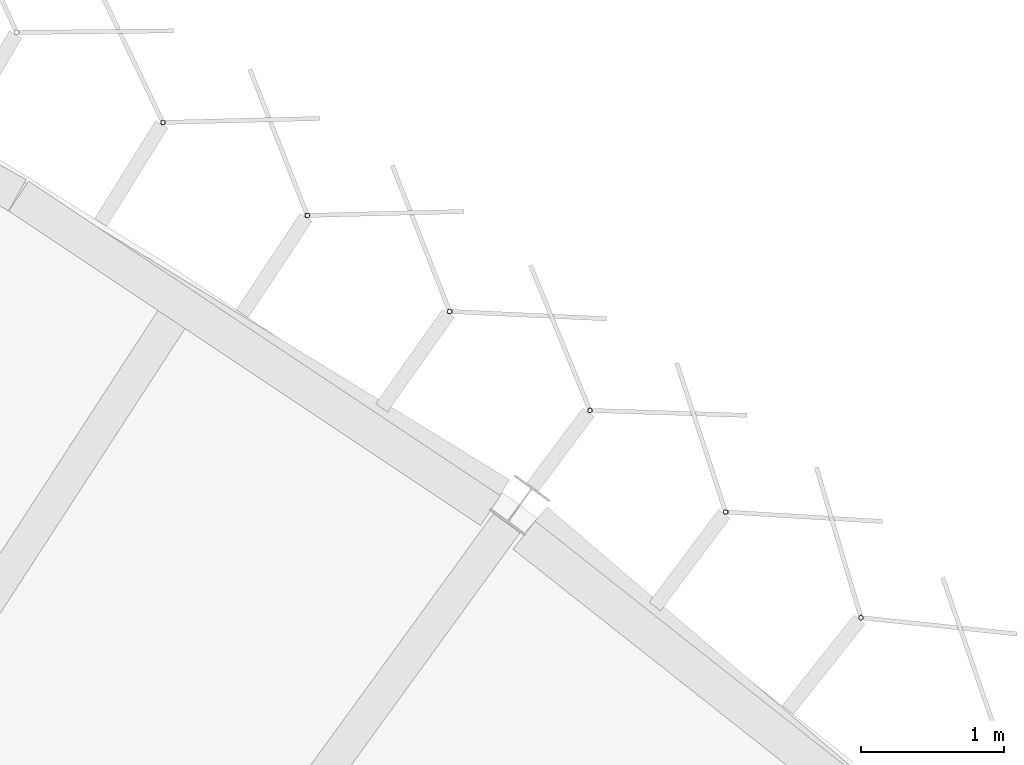
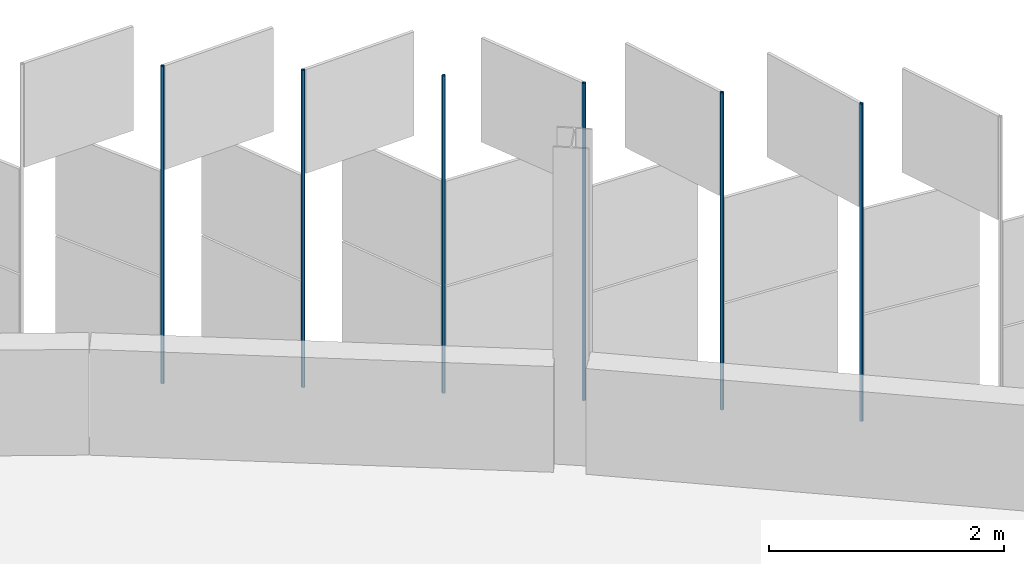
# One storey, part 128 of 198: 6 discrete accessories.
"""IFC4 building model written with IfcOpenShell, lengths in metres."""

from ifc_helpers import new_model, si_unit, direction, frame, origin, origin_2d, place, context, subcontext, project, spatial, hollow_circle, extrude, material, material_profile, profile_set, type_object, element, save


model = new_model("IFC4")

# Units and contexts
model_context = context("Model", 3, precision=1e-05, world=origin(), true_north=direction((0.0, 1.0)))
body_context = subcontext(model_context, "Body", "Model", "MODEL_VIEW")
ifc_project = project(units=[si_unit("LENGTHUNIT", "METRE"), si_unit("AREAUNIT", "SQUARE_METRE"), si_unit("VOLUMEUNIT", "CUBIC_METRE"), si_unit("PLANEANGLEUNIT", "RADIAN"), si_unit("MASSUNIT", "GRAM", prefix="KILO")], contexts=[model_context])

# Site, building, storey
site_placement = place(None, origin())
site = spatial("IfcSite", under=ifc_project, at=site_placement, CompositionType="ELEMENT")
building_placement = place(site_placement, origin())
building = spatial("IfcBuilding", under=site, at=building_placement, Name="Parallax Yard Mobility Hub", CompositionType="ELEMENT")
storey_placement = place(building_placement, frame((0.0, 0.0, 6.60009765625)))
storey = spatial("IfcBuildingStorey", under=building, at=storey_placement, Name="L02", CompositionType="ELEMENT", Elevation=6.60009765625)

# Discrete accessories
ifc_material = material(Name="Steel ASTM A500 Gr C, hot-dip galvanised", Category="steel")
ifc_material_profile = material_profile(ifc_material, hollow_circle(Radius=0.016845703125, WallThickness=0.003173828125, at=origin_2d()), Name="CHS 33.7x3.2")
ifc_profile_set = profile_set([ifc_material_profile], Name="Steel ASTM A500 Gr C, hot-dip galvanised")
discrete_accessory_type = type_object("IfcDiscreteAccessoryType", Name="Hinge post CHS 33.7x3.2", PredefinedType="BRACKET", material=ifc_profile_set)
for number, where, z_axis, x_axis, name in (
    (1, (205.742919921875, 131.686767578125, 0.0), (0.0, 0.0, 1.0), (1.0, 0.0, 0.0), "Hinge post bay 46.6 level L02"),
    (2, (204.797607421875, 132.42529296875, 0.0), (0.0, 0.0, 1.0), (1.0, 0.0, 0.0), "Hinge post bay 46.7 level L02"),
    (3, (203.84912109375, 133.135498046875, 0.0), (0.0, 0.0, 1.0), (1.0, 0.0, 0.0), "Hinge post bay 47.1 level L02"),
    (4, (202.86865234375, 133.826904296875, 0.0), (0.0, 0.0, 1.0), (1.0, 0.0, 0.0), "Hinge post bay 47.2 level L02"),
    (5, (201.873779296875, 134.497802734375, 0.0), (0.0, 0.0, 1.0), (1.0, 0.0, 0.0), "Hinge post bay 47.3 level L02"),
    (6, (200.865478515625, 135.147705078125, 0.0), (0.0, 0.0, 1.0), (1.0, 0.0, 0.0), "Hinge post bay 47.4 level L02"),
):
    element("IfcDiscreteAccessory", number, at=place(storey_placement, frame(where, z_axis=z_axis, x_axis=x_axis)), inside=storey, type_object=discrete_accessory_type, Name=name, PredefinedType="BRACKET", context=body_context, shape_type="SweptSolid", body=[
        extrude(hollow_circle(Radius=0.016845703125, WallThickness=0.003173828125, at=origin_2d()), origin(), (0.0, 0.0, 1.0), 3.2998046875),
    ])

save(model, "model.ifc")
